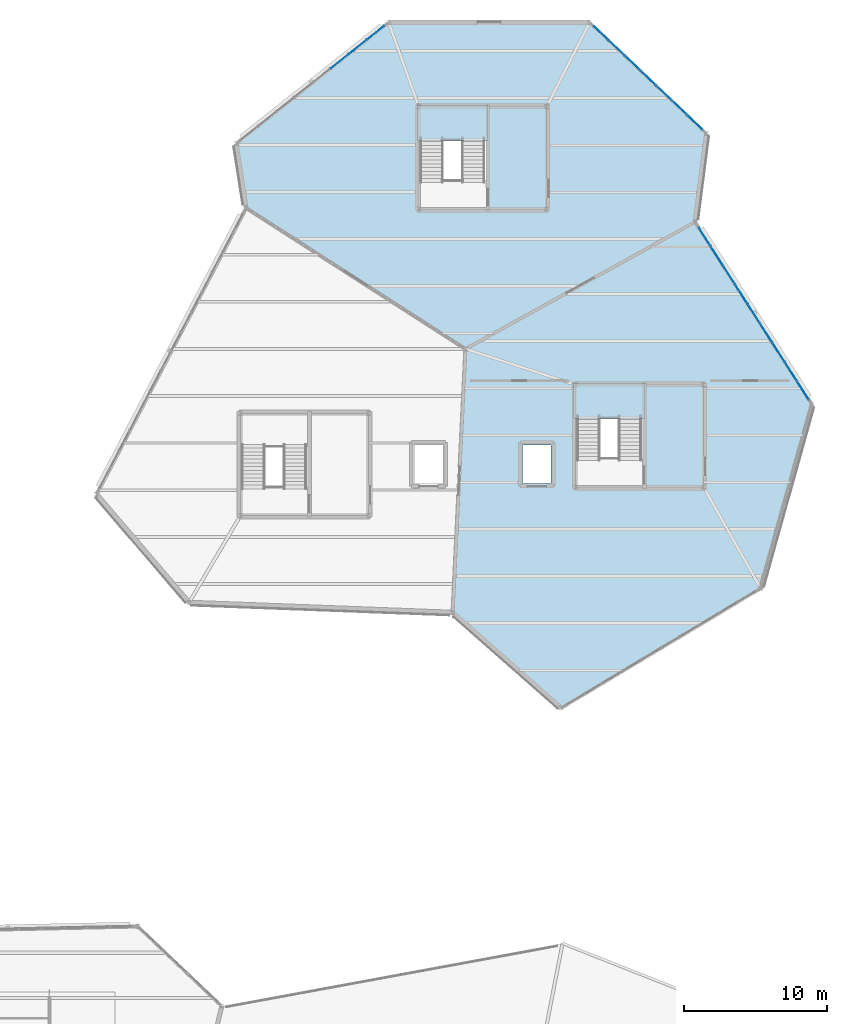
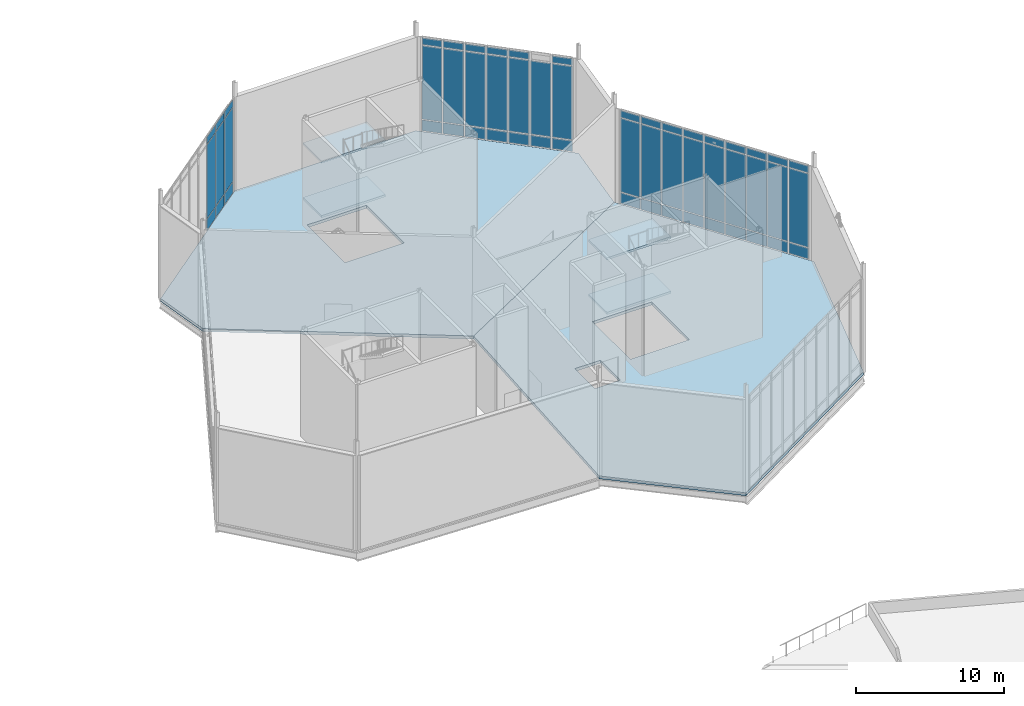
# One storey, part 48 of 66: 56 plates, 6 slabs, 5 elements without a shape of their own.
"""IFC4 building model written with IfcOpenShell, lengths in metres."""

from ifc_helpers import new_model, si_unit, direction, frame, origin, origin_2d, place, context, subcontext, project, spatial, polyline, rectangle, outline, extrude, material, layer, layer_set, type_object, element, aggregate, save


model = new_model("IFC4")

# Units and contexts
model_context = context("Model", 3, precision=1e-05, world=origin(), true_north=direction((0.0, 1.0)))
body_context = subcontext(model_context, "Body", "Model", "MODEL_VIEW")
ifc_project = project(units=[si_unit("LENGTHUNIT", "METRE"), si_unit("AREAUNIT", "SQUARE_METRE"), si_unit("VOLUMEUNIT", "CUBIC_METRE"), si_unit("PLANEANGLEUNIT", "RADIAN"), si_unit("MASSUNIT", "GRAM", prefix="KILO")], contexts=[model_context])

# Site, building, storey
site_placement = place(None, origin())
site = spatial("IfcSite", under=ifc_project, at=site_placement, CompositionType="ELEMENT")
building_placement = place(site_placement, origin())
building = spatial("IfcBuilding", under=site, at=building_placement, Name="Tameran Prism Museum", CompositionType="ELEMENT")
storey_placement = place(building_placement, frame((0.0, 0.0, 19.800048828125)))
storey = spatial("IfcBuildingStorey", under=building, at=storey_placement, Name="L04", CompositionType="ELEMENT", Elevation=19.800048828125)

# Curtain wall, plates
ifc_material_1 = material(Name="Anodised Aluminium 6063-T6 and Cyclone Solar Glass", Category="aluminium")
curtain_wall_type_1 = type_object("IfcCurtainWallType", Name="CW-FAC-1444x782", PredefinedType="USERDEFINED", material=ifc_material_1)
curtain_wall_1_placement = place(storey_placement, origin())
curtain_wall_1 = element("IfcCurtainWall", 1, at=curtain_wall_1_placement, inside=storey, type_object=curtain_wall_type_1, Name="Unitised Curtain Wall CW-153", ObjectType="UNITISED CURTAIN WALL", PredefinedType="USERDEFINED")
ifc_material_2 = material(Name="Cyclone Laminated Solar Glass", Category="glass")
ifc_layer_1 = layer(ifc_material_2, 0.031982421875)
ifc_layer_set_1 = layer_set([ifc_layer_1])
plate_type = type_object("IfcPlateType", Name="CW-PNL-G32", PredefinedType="CURTAIN_PANEL", material=ifc_layer_set_1)
plate_1_placement = place(storey_placement, frame((135.56396484375, 96.963623046875, 0.0751953125), z_axis=(0.0, 0.0, 1.0), x_axis=(0.539426990683, -0.842032375697, 0.0)))
plate_1 = element("IfcPlate", 2, at=plate_1_placement, type_object=plate_type, Name="CW-153 panel 1.1", PredefinedType="CURTAIN_PANEL", context=body_context, shape_type="SweptSolid", body=[
    extrude(rectangle(XDim=1.4921875, YDim=0.031982421875, at=origin_2d()), origin(), (0.0, 0.0, 1.0), 0.887451171875),
])
plate_2_placement = place(storey_placement, frame((135.56396484375, 96.963623046875, 1.03759765625), z_axis=(0.0, 0.0, 1.0), x_axis=(0.539426990683, -0.842032375697, 0.0)))
plate_2 = element("IfcPlate", 3, at=plate_2_placement, type_object=plate_type, Name="CW-153 panel 1.2", PredefinedType="CURTAIN_PANEL", context=body_context, shape_type="SweptSolid", body=[
    extrude(rectangle(XDim=1.4921875, YDim=0.031982421875, at=origin_2d()), origin(), (0.0, 0.0, 1.0), 6.06494140625),
])
plate_3_placement = place(storey_placement, frame((135.56396484375, 96.963623046875, 7.177490234375), z_axis=(0.0, 0.0, 1.0), x_axis=(0.539426990683, -0.842032375697, 0.0)))
plate_3 = element("IfcPlate", 4, at=plate_3_placement, type_object=plate_type, Name="CW-153 panel 1.3", PredefinedType="CURTAIN_PANEL", context=body_context, shape_type="SweptSolid", body=[
    extrude(rectangle(XDim=1.4921875, YDim=0.031982421875, at=origin_2d()), origin(), (0.0, 0.0, 1.0), 0.5673828125),
])
plate_4_placement = place(storey_placement, frame((136.41943359375, 95.62841796875, 0.0751953125), z_axis=(0.0, 0.0, 1.0), x_axis=(0.539426990683, -0.842032375697, 0.0)))
plate_4 = element("IfcPlate", 5, at=plate_4_placement, type_object=plate_type, Name="CW-153 panel 2.1", PredefinedType="CURTAIN_PANEL", context=body_context, shape_type="SweptSolid", body=[
    extrude(rectangle(XDim=1.529541015625, YDim=0.031982421875, at=origin_2d()), origin(), (0.0, 0.0, 1.0), 0.887451171875),
])
plate_5_placement = place(storey_placement, frame((136.41943359375, 95.62841796875, 1.03759765625), z_axis=(0.0, 0.0, 1.0), x_axis=(0.539426990683, -0.842032375697, 0.0)))
plate_5 = element("IfcPlate", 6, at=plate_5_placement, type_object=plate_type, Name="CW-153 panel 2.2", PredefinedType="CURTAIN_PANEL", context=body_context, shape_type="SweptSolid", body=[
    extrude(rectangle(XDim=1.529541015625, YDim=0.031982421875, at=origin_2d()), origin(), (0.0, 0.0, 1.0), 6.06494140625),
])
plate_6_placement = place(storey_placement, frame((136.41943359375, 95.62841796875, 7.177490234375), z_axis=(0.0, 0.0, 1.0), x_axis=(0.539426990683, -0.842032375697, 0.0)))
plate_6 = element("IfcPlate", 7, at=plate_6_placement, type_object=plate_type, Name="CW-153 panel 2.3", PredefinedType="CURTAIN_PANEL", context=body_context, shape_type="SweptSolid", body=[
    extrude(rectangle(XDim=1.529541015625, YDim=0.031982421875, at=origin_2d()), origin(), (0.0, 0.0, 1.0), 0.5673828125),
])
plate_7_placement = place(storey_placement, frame((137.284912109375, 94.27734375, 0.0751953125), z_axis=(0.0, 0.0, 1.0), x_axis=(0.539426990683, -0.842032375697, 0.0)))
plate_7 = element("IfcPlate", 8, at=plate_7_placement, type_object=plate_type, Name="CW-153 panel 3.1", PredefinedType="CURTAIN_PANEL", context=body_context, shape_type="SweptSolid", body=[
    extrude(rectangle(XDim=1.529541015625, YDim=0.031982421875, at=origin_2d()), origin(), (0.0, 0.0, 1.0), 0.887451171875),
])
plate_8_placement = place(storey_placement, frame((137.284912109375, 94.27734375, 1.03759765625), z_axis=(0.0, 0.0, 1.0), x_axis=(0.539426990683, -0.842032375697, 0.0)))
plate_8 = element("IfcPlate", 9, at=plate_8_placement, type_object=plate_type, Name="CW-153 panel 3.2", PredefinedType="CURTAIN_PANEL", context=body_context, shape_type="SweptSolid", body=[
    extrude(rectangle(XDim=1.529541015625, YDim=0.031982421875, at=origin_2d()), origin(), (0.0, 0.0, 1.0), 6.06494140625),
])
plate_9_placement = place(storey_placement, frame((137.284912109375, 94.27734375, 7.177490234375), z_axis=(0.0, 0.0, 1.0), x_axis=(0.539426990683, -0.842032375697, 0.0)))
plate_9 = element("IfcPlate", 10, at=plate_9_placement, type_object=plate_type, Name="CW-153 panel 3.3", PredefinedType="CURTAIN_PANEL", context=body_context, shape_type="SweptSolid", body=[
    extrude(rectangle(XDim=1.529541015625, YDim=0.031982421875, at=origin_2d()), origin(), (0.0, 0.0, 1.0), 0.5673828125),
])
plate_10_placement = place(storey_placement, frame((138.150390625, 92.926025390625, 0.0751953125), z_axis=(0.0, 0.0, 1.0), x_axis=(0.539426990683, -0.842032375697, 0.0)))
plate_10 = element("IfcPlate", 11, at=plate_10_placement, type_object=plate_type, Name="CW-153 panel 4.1", PredefinedType="CURTAIN_PANEL", context=body_context, shape_type="SweptSolid", body=[
    extrude(rectangle(XDim=1.529541015625, YDim=0.031982421875, at=origin_2d()), origin(), (0.0, 0.0, 1.0), 0.887451171875),
])
plate_11_placement = place(storey_placement, frame((138.150390625, 92.926025390625, 1.03759765625), z_axis=(0.0, 0.0, 1.0), x_axis=(0.539426990683, -0.842032375697, 0.0)))
plate_11 = element("IfcPlate", 12, at=plate_11_placement, type_object=plate_type, Name="CW-153 panel 4.2", PredefinedType="CURTAIN_PANEL", context=body_context, shape_type="SweptSolid", body=[
    extrude(rectangle(XDim=1.529541015625, YDim=0.031982421875, at=origin_2d()), origin(), (0.0, 0.0, 1.0), 6.06494140625),
])
plate_12_placement = place(storey_placement, frame((138.150390625, 92.926025390625, 7.177490234375), z_axis=(0.0, 0.0, 1.0), x_axis=(0.539426990683, -0.842032375697, 0.0)))
plate_12 = element("IfcPlate", 13, at=plate_12_placement, type_object=plate_type, Name="CW-153 panel 4.3", PredefinedType="CURTAIN_PANEL", context=body_context, shape_type="SweptSolid", body=[
    extrude(rectangle(XDim=1.529541015625, YDim=0.031982421875, at=origin_2d()), origin(), (0.0, 0.0, 1.0), 0.5673828125),
])
plate_13_placement = place(storey_placement, frame((139.01611328125, 91.574951171875, 0.0751953125), z_axis=(0.0, 0.0, 1.0), x_axis=(0.539426990683, -0.842032375697, 0.0)))
plate_13 = element("IfcPlate", 14, at=plate_13_placement, type_object=plate_type, Name="CW-153 panel 5.1", PredefinedType="CURTAIN_PANEL", context=body_context, shape_type="SweptSolid", body=[
    extrude(rectangle(XDim=1.529541015625, YDim=0.031982421875, at=origin_2d()), origin(), (0.0, 0.0, 1.0), 0.887451171875),
])
plate_14_placement = place(storey_placement, frame((139.01611328125, 91.574951171875, 1.03759765625), z_axis=(0.0, 0.0, 1.0), x_axis=(0.539426990683, -0.842032375697, 0.0)))
plate_14 = element("IfcPlate", 15, at=plate_14_placement, type_object=plate_type, Name="CW-153 panel 5.2", PredefinedType="CURTAIN_PANEL", context=body_context, shape_type="SweptSolid", body=[
    extrude(rectangle(XDim=1.529541015625, YDim=0.031982421875, at=origin_2d()), origin(), (0.0, 0.0, 1.0), 6.06494140625),
])
plate_15_placement = place(storey_placement, frame((139.01611328125, 91.574951171875, 7.177490234375), z_axis=(0.0, 0.0, 1.0), x_axis=(0.539426990683, -0.842032375697, 0.0)))
plate_15 = element("IfcPlate", 16, at=plate_15_placement, type_object=plate_type, Name="CW-153 panel 5.3", PredefinedType="CURTAIN_PANEL", context=body_context, shape_type="SweptSolid", body=[
    extrude(rectangle(XDim=1.529541015625, YDim=0.031982421875, at=origin_2d()), origin(), (0.0, 0.0, 1.0), 0.5673828125),
])
plate_16_placement = place(storey_placement, frame((139.881591796875, 90.223876953125, 0.0751953125), z_axis=(0.0, 0.0, 1.0), x_axis=(0.539426990683, -0.842032375697, 0.0)))
plate_16 = element("IfcPlate", 17, at=plate_16_placement, type_object=plate_type, Name="CW-153 panel 6.1", PredefinedType="CURTAIN_PANEL", context=body_context, shape_type="SweptSolid", body=[
    extrude(rectangle(XDim=1.529541015625, YDim=0.031982421875, at=origin_2d()), origin(), (0.0, 0.0, 1.0), 0.887451171875),
])
plate_17_placement = place(storey_placement, frame((139.881591796875, 90.223876953125, 1.03759765625), z_axis=(0.0, 0.0, 1.0), x_axis=(0.539426990683, -0.842032375697, 0.0)))
plate_17 = element("IfcPlate", 18, at=plate_17_placement, type_object=plate_type, Name="CW-153 panel 6.2", PredefinedType="CURTAIN_PANEL", context=body_context, shape_type="SweptSolid", body=[
    extrude(rectangle(XDim=1.529541015625, YDim=0.031982421875, at=origin_2d()), origin(), (0.0, 0.0, 1.0), 6.06494140625),
])
plate_18_placement = place(storey_placement, frame((139.881591796875, 90.223876953125, 7.177490234375), z_axis=(0.0, 0.0, 1.0), x_axis=(0.539426990683, -0.842032375697, 0.0)))
plate_18 = element("IfcPlate", 19, at=plate_18_placement, type_object=plate_type, Name="CW-153 panel 6.3", PredefinedType="CURTAIN_PANEL", context=body_context, shape_type="SweptSolid", body=[
    extrude(rectangle(XDim=1.529541015625, YDim=0.031982421875, at=origin_2d()), origin(), (0.0, 0.0, 1.0), 0.5673828125),
])
plate_19_placement = place(storey_placement, frame((140.7470703125, 88.872802734375, 0.0751953125), z_axis=(0.0, 0.0, 1.0), x_axis=(0.539426990683, -0.842032375697, 0.0)))
plate_19 = element("IfcPlate", 20, at=plate_19_placement, type_object=plate_type, Name="CW-153 panel 7.1", PredefinedType="CURTAIN_PANEL", context=body_context, shape_type="SweptSolid", body=[
    extrude(rectangle(XDim=1.529541015625, YDim=0.031982421875, at=origin_2d()), origin(), (0.0, 0.0, 1.0), 0.887451171875),
])
plate_20_placement = place(storey_placement, frame((140.7470703125, 88.872802734375, 1.03759765625), z_axis=(0.0, 0.0, 1.0), x_axis=(0.539426990683, -0.842032375697, 0.0)))
plate_20 = element("IfcPlate", 21, at=plate_20_placement, type_object=plate_type, Name="CW-153 panel 7.2", PredefinedType="CURTAIN_PANEL", context=body_context, shape_type="SweptSolid", body=[
    extrude(rectangle(XDim=1.529541015625, YDim=0.031982421875, at=origin_2d()), origin(), (0.0, 0.0, 1.0), 6.06494140625),
])
plate_21_placement = place(storey_placement, frame((140.7470703125, 88.872802734375, 7.177490234375), z_axis=(0.0, 0.0, 1.0), x_axis=(0.539426990683, -0.842032375697, 0.0)))
plate_21 = element("IfcPlate", 22, at=plate_21_placement, type_object=plate_type, Name="CW-153 panel 7.3", PredefinedType="CURTAIN_PANEL", context=body_context, shape_type="SweptSolid", body=[
    extrude(rectangle(XDim=1.529541015625, YDim=0.031982421875, at=origin_2d()), origin(), (0.0, 0.0, 1.0), 0.5673828125),
])
plate_22_placement = place(storey_placement, frame((141.612548828125, 87.521728515625, 0.0751953125), z_axis=(0.0, 0.0, 1.0), x_axis=(0.539426990683, -0.842032375697, 0.0)))
plate_22 = element("IfcPlate", 23, at=plate_22_placement, type_object=plate_type, Name="CW-153 panel 8.1", PredefinedType="CURTAIN_PANEL", context=body_context, shape_type="SweptSolid", body=[
    extrude(rectangle(XDim=1.529541015625, YDim=0.031982421875, at=origin_2d()), origin(), (0.0, 0.0, 1.0), 0.887451171875),
])
plate_23_placement = place(storey_placement, frame((141.612548828125, 87.521728515625, 1.03759765625), z_axis=(0.0, 0.0, 1.0), x_axis=(0.539426990683, -0.842032375697, 0.0)))
plate_23 = element("IfcPlate", 24, at=plate_23_placement, type_object=plate_type, Name="CW-153 panel 8.2", PredefinedType="CURTAIN_PANEL", context=body_context, shape_type="SweptSolid", body=[
    extrude(rectangle(XDim=1.529541015625, YDim=0.031982421875, at=origin_2d()), origin(), (0.0, 0.0, 1.0), 6.06494140625),
])
plate_24_placement = place(storey_placement, frame((141.612548828125, 87.521728515625, 7.177490234375), z_axis=(0.0, 0.0, 1.0), x_axis=(0.539426990683, -0.842032375697, 0.0)))
plate_24 = element("IfcPlate", 25, at=plate_24_placement, type_object=plate_type, Name="CW-153 panel 8.3", PredefinedType="CURTAIN_PANEL", context=body_context, shape_type="SweptSolid", body=[
    extrude(rectangle(XDim=1.529541015625, YDim=0.031982421875, at=origin_2d()), origin(), (0.0, 0.0, 1.0), 0.5673828125),
])
plate_25_placement = place(storey_placement, frame((142.468017578125, 86.186279296875, 0.0751953125), z_axis=(0.0, 0.0, 1.0), x_axis=(0.539426990683, -0.842032375697, 0.0)))
plate_25 = element("IfcPlate", 26, at=plate_25_placement, type_object=plate_type, Name="CW-153 panel 9.1", PredefinedType="CURTAIN_PANEL", context=body_context, shape_type="SweptSolid", body=[
    extrude(rectangle(XDim=1.4921875, YDim=0.031982421875, at=origin_2d()), origin(), (0.0, 0.0, 1.0), 0.887451171875),
])
plate_26_placement = place(storey_placement, frame((142.468017578125, 86.186279296875, 1.03759765625), z_axis=(0.0, 0.0, 1.0), x_axis=(0.539426990683, -0.842032375697, 0.0)))
plate_26 = element("IfcPlate", 27, at=plate_26_placement, type_object=plate_type, Name="CW-153 panel 9.2", PredefinedType="CURTAIN_PANEL", context=body_context, shape_type="SweptSolid", body=[
    extrude(rectangle(XDim=1.4921875, YDim=0.031982421875, at=origin_2d()), origin(), (0.0, 0.0, 1.0), 6.06494140625),
])
plate_27_placement = place(storey_placement, frame((142.468017578125, 86.186279296875, 7.177490234375), z_axis=(0.0, 0.0, 1.0), x_axis=(0.539426990683, -0.842032375697, 0.0)))
plate_27 = element("IfcPlate", 28, at=plate_27_placement, type_object=plate_type, Name="CW-153 panel 9.3", PredefinedType="CURTAIN_PANEL", context=body_context, shape_type="SweptSolid", body=[
    extrude(rectangle(XDim=1.4921875, YDim=0.031982421875, at=origin_2d()), origin(), (0.0, 0.0, 1.0), 0.5673828125),
])
aggregate(curtain_wall_1, [plate_1, plate_2, plate_3, plate_4, plate_5, plate_6, plate_7, plate_8, plate_9, plate_10, plate_11, plate_12, plate_13, plate_14, plate_15, plate_16, plate_17, plate_18, plate_19, plate_20, plate_21, plate_22, plate_23, plate_24, plate_25, plate_26, plate_27])

ifc_material_3 = material(Name="Anodised Aluminium 6063-T6 and Cyclone Solar Glass", Category="aluminium")
curtain_wall_type_2 = type_object("IfcCurtainWallType", Name="CW-FAC-1062x782", PredefinedType="USERDEFINED", material=ifc_material_3)
curtain_wall_2_placement = place(storey_placement, origin())
curtain_wall_2 = element("IfcCurtainWall", 29, at=curtain_wall_2_placement, inside=storey, type_object=curtain_wall_type_2, Name="Unitised Curtain Wall CW-154", ObjectType="UNITISED CURTAIN WALL", PredefinedType="USERDEFINED")
plate_28_placement = place(storey_placement, frame((128.31787109375, 111.222412109375, 0.080078125), z_axis=(0.0, 0.0, 1.0), x_axis=(0.724500698692, -0.689274065662, 0.0)))
plate_28 = element("IfcPlate", 30, at=plate_28_placement, type_object=plate_type, Name="CW-154 panel 1.1", PredefinedType="CURTAIN_PANEL", context=body_context, shape_type="SweptSolid", body=[
    extrude(rectangle(XDim=1.396728515625, YDim=0.031982421875, at=origin_2d()), origin(), (0.0, 0.0, 1.0), 0.8798828125),
])
plate_29_placement = place(storey_placement, frame((128.31787109375, 111.222412109375, 1.0400390625), z_axis=(0.0, 0.0, 1.0), x_axis=(0.724500698692, -0.689274065662, 0.0)))
plate_29 = element("IfcPlate", 31, at=plate_29_placement, type_object=plate_type, Name="CW-154 panel 1.2", PredefinedType="CURTAIN_PANEL", context=body_context, shape_type="SweptSolid", body=[
    extrude(rectangle(XDim=1.396728515625, YDim=0.031982421875, at=origin_2d()), origin(), (0.0, 0.0, 1.0), 6.06005859375),
])
plate_30_placement = place(storey_placement, frame((128.31787109375, 111.222412109375, 7.179931640625), z_axis=(0.0, 0.0, 1.0), x_axis=(0.724500698692, -0.689274065662, 0.0)))
plate_30 = element("IfcPlate", 32, at=plate_30_placement, type_object=plate_type, Name="CW-154 panel 1.3", PredefinedType="CURTAIN_PANEL", context=body_context, shape_type="SweptSolid", body=[
    extrude(rectangle(XDim=1.396728515625, YDim=0.031982421875, at=origin_2d()), origin(), (0.0, 0.0, 1.0), 0.56005859375),
])
plate_31_placement = place(storey_placement, frame((129.40234375, 110.19091796875, 0.080078125), z_axis=(0.0, 0.0, 1.0), x_axis=(0.724500698692, -0.689274065662, 0.0)))
plate_31 = element("IfcPlate", 33, at=plate_31_placement, type_object=plate_type, Name="CW-154 panel 2.1", PredefinedType="CURTAIN_PANEL", context=body_context, shape_type="SweptSolid", body=[
    extrude(rectangle(XDim=1.436767578125, YDim=0.031982421875, at=origin_2d()), origin(), (0.0, 0.0, 1.0), 0.8798828125),
])
plate_32_placement = place(storey_placement, frame((129.40234375, 110.19091796875, 1.0400390625), z_axis=(0.0, 0.0, 1.0), x_axis=(0.724500698692, -0.689274065662, 0.0)))
plate_32 = element("IfcPlate", 34, at=plate_32_placement, type_object=plate_type, Name="CW-154 panel 2.2", PredefinedType="CURTAIN_PANEL", context=body_context, shape_type="SweptSolid", body=[
    extrude(rectangle(XDim=1.436767578125, YDim=0.031982421875, at=origin_2d()), origin(), (0.0, 0.0, 1.0), 6.06005859375),
])
plate_33_placement = place(storey_placement, frame((129.40234375, 110.19091796875, 7.179931640625), z_axis=(0.0, 0.0, 1.0), x_axis=(0.724500698692, -0.689274065662, 0.0)))
plate_33 = element("IfcPlate", 35, at=plate_33_placement, type_object=plate_type, Name="CW-154 panel 2.3", PredefinedType="CURTAIN_PANEL", context=body_context, shape_type="SweptSolid", body=[
    extrude(rectangle(XDim=1.436767578125, YDim=0.031982421875, at=origin_2d()), origin(), (0.0, 0.0, 1.0), 0.56005859375),
])
plate_34_placement = place(storey_placement, frame((130.501220703125, 109.1455078125, 0.080078125), z_axis=(0.0, 0.0, 1.0), x_axis=(0.724500698692, -0.689274065662, 0.0)))
plate_34 = element("IfcPlate", 36, at=plate_34_placement, type_object=plate_type, Name="CW-154 panel 3.1", PredefinedType="CURTAIN_PANEL", context=body_context, shape_type="SweptSolid", body=[
    extrude(rectangle(XDim=1.436767578125, YDim=0.031982421875, at=origin_2d()), origin(), (0.0, 0.0, 1.0), 0.8798828125),
])
plate_35_placement = place(storey_placement, frame((130.501220703125, 109.1455078125, 1.0400390625), z_axis=(0.0, 0.0, 1.0), x_axis=(0.724500698692, -0.689274065662, 0.0)))
plate_35 = element("IfcPlate", 37, at=plate_35_placement, type_object=plate_type, Name="CW-154 panel 3.2", PredefinedType="CURTAIN_PANEL", context=body_context, shape_type="SweptSolid", body=[
    extrude(rectangle(XDim=1.436767578125, YDim=0.031982421875, at=origin_2d()), origin(), (0.0, 0.0, 1.0), 6.06005859375),
])
plate_36_placement = place(storey_placement, frame((130.501220703125, 109.1455078125, 7.179931640625), z_axis=(0.0, 0.0, 1.0), x_axis=(0.724500698692, -0.689274065662, 0.0)))
plate_36 = element("IfcPlate", 38, at=plate_36_placement, type_object=plate_type, Name="CW-154 panel 3.3", PredefinedType="CURTAIN_PANEL", context=body_context, shape_type="SweptSolid", body=[
    extrude(rectangle(XDim=1.436767578125, YDim=0.031982421875, at=origin_2d()), origin(), (0.0, 0.0, 1.0), 0.56005859375),
])
plate_37_placement = place(storey_placement, frame((131.60009765625, 108.10009765625, 0.080078125), z_axis=(0.0, 0.0, 1.0), x_axis=(0.724500698692, -0.689274065662, 0.0)))
plate_37 = element("IfcPlate", 39, at=plate_37_placement, type_object=plate_type, Name="CW-154 panel 4.1", PredefinedType="CURTAIN_PANEL", context=body_context, shape_type="SweptSolid", body=[
    extrude(rectangle(XDim=1.436767578125, YDim=0.031982421875, at=origin_2d()), origin(), (0.0, 0.0, 1.0), 0.8798828125),
])
plate_38_placement = place(storey_placement, frame((131.60009765625, 108.10009765625, 1.0400390625), z_axis=(0.0, 0.0, 1.0), x_axis=(0.724500698692, -0.689274065662, 0.0)))
plate_38 = element("IfcPlate", 40, at=plate_38_placement, type_object=plate_type, Name="CW-154 panel 4.2", PredefinedType="CURTAIN_PANEL", context=body_context, shape_type="SweptSolid", body=[
    extrude(rectangle(XDim=1.436767578125, YDim=0.031982421875, at=origin_2d()), origin(), (0.0, 0.0, 1.0), 6.06005859375),
])
plate_39_placement = place(storey_placement, frame((131.60009765625, 108.10009765625, 7.179931640625), z_axis=(0.0, 0.0, 1.0), x_axis=(0.724500698692, -0.689274065662, 0.0)))
plate_39 = element("IfcPlate", 41, at=plate_39_placement, type_object=plate_type, Name="CW-154 panel 4.3", PredefinedType="CURTAIN_PANEL", context=body_context, shape_type="SweptSolid", body=[
    extrude(rectangle(XDim=1.436767578125, YDim=0.031982421875, at=origin_2d()), origin(), (0.0, 0.0, 1.0), 0.56005859375),
])
plate_40_placement = place(storey_placement, frame((132.698974609375, 107.0546875, 0.080078125), z_axis=(0.0, 0.0, 1.0), x_axis=(0.724500698692, -0.689274065662, 0.0)))
plate_40 = element("IfcPlate", 42, at=plate_40_placement, type_object=plate_type, Name="CW-154 panel 5.1", PredefinedType="CURTAIN_PANEL", context=body_context, shape_type="SweptSolid", body=[
    extrude(rectangle(XDim=1.436767578125, YDim=0.031982421875, at=origin_2d()), origin(), (0.0, 0.0, 1.0), 0.8798828125),
])
plate_41_placement = place(storey_placement, frame((132.698974609375, 107.0546875, 1.0400390625), z_axis=(0.0, 0.0, 1.0), x_axis=(0.724500698692, -0.689274065662, 0.0)))
plate_41 = element("IfcPlate", 43, at=plate_41_placement, type_object=plate_type, Name="CW-154 panel 5.2", PredefinedType="CURTAIN_PANEL", context=body_context, shape_type="SweptSolid", body=[
    extrude(rectangle(XDim=1.436767578125, YDim=0.031982421875, at=origin_2d()), origin(), (0.0, 0.0, 1.0), 6.06005859375),
])
plate_42_placement = place(storey_placement, frame((132.698974609375, 107.0546875, 7.179931640625), z_axis=(0.0, 0.0, 1.0), x_axis=(0.724500698692, -0.689274065662, 0.0)))
plate_42 = element("IfcPlate", 44, at=plate_42_placement, type_object=plate_type, Name="CW-154 panel 5.3", PredefinedType="CURTAIN_PANEL", context=body_context, shape_type="SweptSolid", body=[
    extrude(rectangle(XDim=1.436767578125, YDim=0.031982421875, at=origin_2d()), origin(), (0.0, 0.0, 1.0), 0.56005859375),
])
plate_43_placement = place(storey_placement, frame((133.797607421875, 106.009033203125, 0.080078125), z_axis=(0.0, 0.0, 1.0), x_axis=(0.724500698692, -0.689274065662, 0.0)))
plate_43 = element("IfcPlate", 45, at=plate_43_placement, type_object=plate_type, Name="CW-154 panel 6.1", PredefinedType="CURTAIN_PANEL", context=body_context, shape_type="SweptSolid", body=[
    extrude(rectangle(XDim=1.436767578125, YDim=0.031982421875, at=origin_2d()), origin(), (0.0, 0.0, 1.0), 0.8798828125),
])
plate_44_placement = place(storey_placement, frame((133.797607421875, 106.009033203125, 1.0400390625), z_axis=(0.0, 0.0, 1.0), x_axis=(0.724500698692, -0.689274065662, 0.0)))
plate_44 = element("IfcPlate", 46, at=plate_44_placement, type_object=plate_type, Name="CW-154 panel 6.2", PredefinedType="CURTAIN_PANEL", context=body_context, shape_type="SweptSolid", body=[
    extrude(rectangle(XDim=1.436767578125, YDim=0.031982421875, at=origin_2d()), origin(), (0.0, 0.0, 1.0), 6.06005859375),
])
plate_45_placement = place(storey_placement, frame((134.882080078125, 104.9775390625, 0.080078125), z_axis=(0.0, 0.0, 1.0), x_axis=(0.724500698692, -0.689274065662, 0.0)))
plate_45 = element("IfcPlate", 47, at=plate_45_placement, type_object=plate_type, Name="CW-154 panel 7.1", PredefinedType="CURTAIN_PANEL", context=body_context, shape_type="SweptSolid", body=[
    extrude(rectangle(XDim=1.396728515625, YDim=0.031982421875, at=origin_2d()), origin(), (0.0, 0.0, 1.0), 0.8798828125),
])
plate_46_placement = place(storey_placement, frame((134.882080078125, 104.9775390625, 1.0400390625), z_axis=(0.0, 0.0, 1.0), x_axis=(0.724500698692, -0.689274065662, 0.0)))
plate_46 = element("IfcPlate", 48, at=plate_46_placement, type_object=plate_type, Name="CW-154 panel 7.2", PredefinedType="CURTAIN_PANEL", context=body_context, shape_type="SweptSolid", body=[
    extrude(rectangle(XDim=1.396728515625, YDim=0.031982421875, at=origin_2d()), origin(), (0.0, 0.0, 1.0), 6.06005859375),
])
plate_47_placement = place(storey_placement, frame((134.882080078125, 104.9775390625, 7.179931640625), z_axis=(0.0, 0.0, 1.0), x_axis=(0.724500698692, -0.689274065662, 0.0)))
plate_47 = element("IfcPlate", 49, at=plate_47_placement, type_object=plate_type, Name="CW-154 panel 7.3", PredefinedType="CURTAIN_PANEL", context=body_context, shape_type="SweptSolid", body=[
    extrude(rectangle(XDim=1.396728515625, YDim=0.031982421875, at=origin_2d()), origin(), (0.0, 0.0, 1.0), 0.56005859375),
])
aggregate(curtain_wall_2, [plate_28, plate_29, plate_30, plate_31, plate_32, plate_33, plate_34, plate_35, plate_36, plate_37, plate_38, plate_39, plate_40, plate_41, plate_42, plate_43, plate_44, plate_45, plate_46, plate_47])

ifc_material_4 = material(Name="Anodised Aluminium 6063-T6 and Cyclone Solar Glass", Category="aluminium")
curtain_wall_type_3 = type_object("IfcCurtainWallType", Name="CW-FAC-1296x782", PredefinedType="USERDEFINED", material=ifc_material_4)
curtain_wall_3_placement = place(storey_placement, origin())
curtain_wall_3 = element("IfcCurtainWall", 50, at=curtain_wall_3_placement, inside=storey, type_object=curtain_wall_type_3, Name="Unitised Curtain Wall CW-155", ObjectType="UNITISED CURTAIN WALL", PredefinedType="USERDEFINED")
plate_48_placement = place(storey_placement, frame((109.95361328125, 109.261962890625, 0.06494140625), z_axis=(0.0, 0.0, 1.0), x_axis=(0.783031296178, 0.621982306183, 0.0)))
plate_48 = element("IfcPlate", 51, at=plate_48_placement, type_object=plate_type, Name="CW-155 panel 6.1", PredefinedType="CURTAIN_PANEL", context=body_context, shape_type="SweptSolid", body=[
    extrude(rectangle(XDim=1.5556640625, YDim=0.031982421875, at=origin_2d()), origin(), (0.0, 0.0, 1.0), 0.902587890625),
])
plate_49_placement = place(storey_placement, frame((109.95361328125, 109.261962890625, 1.03271484375), z_axis=(0.0, 0.0, 1.0), x_axis=(0.783031296178, 0.621982306183, 0.0)))
plate_49 = element("IfcPlate", 52, at=plate_49_placement, type_object=plate_type, Name="CW-155 panel 6.2", PredefinedType="CURTAIN_PANEL", context=body_context, shape_type="SweptSolid", body=[
    extrude(rectangle(XDim=1.5556640625, YDim=0.031982421875, at=origin_2d()), origin(), (0.0, 0.0, 1.0), 6.074951171875),
])
plate_50_placement = place(storey_placement, frame((109.95361328125, 109.261962890625, 7.17236328125), z_axis=(0.0, 0.0, 1.0), x_axis=(0.783031296178, 0.621982306183, 0.0)))
plate_50 = element("IfcPlate", 53, at=plate_50_placement, type_object=plate_type, Name="CW-155 panel 6.3", PredefinedType="CURTAIN_PANEL", context=body_context, shape_type="SweptSolid", body=[
    extrude(rectangle(XDim=1.5556640625, YDim=0.031982421875, at=origin_2d()), origin(), (0.0, 0.0, 1.0), 0.58251953125),
])
plate_51_placement = place(storey_placement, frame((111.222412109375, 110.27001953125, 0.06494140625), z_axis=(0.0, 0.0, 1.0), x_axis=(0.783031296178, 0.621982306183, 0.0)))
plate_51 = element("IfcPlate", 54, at=plate_51_placement, type_object=plate_type, Name="CW-155 panel 7.1", PredefinedType="CURTAIN_PANEL", context=body_context, shape_type="SweptSolid", body=[
    extrude(rectangle(XDim=1.5556640625, YDim=0.031982421875, at=origin_2d()), origin(), (0.0, 0.0, 1.0), 0.902587890625),
])
plate_52_placement = place(storey_placement, frame((111.222412109375, 110.27001953125, 1.03271484375), z_axis=(0.0, 0.0, 1.0), x_axis=(0.783031296178, 0.621982306183, 0.0)))
plate_52 = element("IfcPlate", 55, at=plate_52_placement, type_object=plate_type, Name="CW-155 panel 7.2", PredefinedType="CURTAIN_PANEL", context=body_context, shape_type="SweptSolid", body=[
    extrude(rectangle(XDim=1.5556640625, YDim=0.031982421875, at=origin_2d()), origin(), (0.0, 0.0, 1.0), 6.074951171875),
])
plate_53_placement = place(storey_placement, frame((111.222412109375, 110.27001953125, 7.17236328125), z_axis=(0.0, 0.0, 1.0), x_axis=(0.783031296178, 0.621982306183, 0.0)))
plate_53 = element("IfcPlate", 56, at=plate_53_placement, type_object=plate_type, Name="CW-155 panel 7.3", PredefinedType="CURTAIN_PANEL", context=body_context, shape_type="SweptSolid", body=[
    extrude(rectangle(XDim=1.5556640625, YDim=0.031982421875, at=origin_2d()), origin(), (0.0, 0.0, 1.0), 0.58251953125),
])
plate_54_placement = place(storey_placement, frame((112.478759765625, 111.267822265625, 0.06494140625), z_axis=(0.0, 0.0, 1.0), x_axis=(0.783031296178, 0.621982306183, 0.0)))
plate_54 = element("IfcPlate", 57, at=plate_54_placement, type_object=plate_type, Name="CW-155 panel 8.1", PredefinedType="CURTAIN_PANEL", context=body_context, shape_type="SweptSolid", body=[
    extrude(rectangle(XDim=1.523193359375, YDim=0.031982421875, at=origin_2d()), origin(), (0.0, 0.0, 1.0), 0.902587890625),
])
plate_55_placement = place(storey_placement, frame((112.478759765625, 111.267822265625, 1.03271484375), z_axis=(0.0, 0.0, 1.0), x_axis=(0.783031296178, 0.621982306183, 0.0)))
plate_55 = element("IfcPlate", 58, at=plate_55_placement, type_object=plate_type, Name="CW-155 panel 8.2", PredefinedType="CURTAIN_PANEL", context=body_context, shape_type="SweptSolid", body=[
    extrude(rectangle(XDim=1.523193359375, YDim=0.031982421875, at=origin_2d()), origin(), (0.0, 0.0, 1.0), 6.074951171875),
])
plate_56_placement = place(storey_placement, frame((112.478759765625, 111.267822265625, 7.17236328125), z_axis=(0.0, 0.0, 1.0), x_axis=(0.783031296178, 0.621982306183, 0.0)))
plate_56 = element("IfcPlate", 59, at=plate_56_placement, type_object=plate_type, Name="CW-155 panel 8.3", PredefinedType="CURTAIN_PANEL", context=body_context, shape_type="SweptSolid", body=[
    extrude(rectangle(XDim=1.523193359375, YDim=0.031982421875, at=origin_2d()), origin(), (0.0, 0.0, 1.0), 0.58251953125),
])
aggregate(curtain_wall_3, [plate_48, plate_49, plate_50, plate_51, plate_52, plate_53, plate_54, plate_55, plate_56])

# Slabs
ifc_material_5 = material(Name="Concrete N40 (40 MPa)", Category="concrete")
ifc_layer_2 = layer(ifc_material_5, 0.239990234375)
ifc_layer_set_2 = layer_set([ifc_layer_2])
slab_type_1 = type_object("IfcSlabType", Name="SL-FLR-240", PredefinedType="FLOOR", material=ifc_layer_set_2)
slab_1_placement = place(storey_placement, frame((0.0, 0.0, -0.239990234375)))
element("IfcSlab", 60, at=slab_1_placement, inside=storey, type_object=slab_type_1, Name="Floor Slab FS-P02-L04", PredefinedType="FLOOR", context=body_context, shape_type="SweptSolid", body=[
    extrude(outline(polyline([(118.800048828125, 89.10009765625), (134.89990234375, 98.0), (143.10009765625, 85.199951171875), (139.5, 72.300048828125), (125.5, 63.89990234375), (117.89990234375, 70.60009765625), (118.800048828125, 89.10009765625)]), holes=[polyline([(124.800048828125, 79.64990234375), (124.800048828125, 82.35009765625), (122.800048828125, 82.35009765625), (122.800048828125, 79.64990234375), (124.800048828125, 79.64990234375)]), polyline([(131.219970703125, 81.43994140625), (131.219970703125, 86.550048828125), (126.60009765625, 86.550048828125), (126.60009765625, 81.43994140625), (131.219970703125, 81.43994140625)])]), origin(), (0.0, 0.0, 1.0), 0.239990234375),
])
slab_2_placement = place(storey_placement, frame((0.0, 0.0, -0.239990234375)))
element("IfcSlab", 61, at=slab_2_placement, inside=storey, type_object=slab_type_1, Name="Floor Slab FS-P03-L04", PredefinedType="FLOOR", context=body_context, shape_type="SweptSolid", body=[
    extrude(outline(polyline([(102.699951171875, 103.5), (113.39990234375, 112.0), (127.5, 112.0), (135.699951171875, 104.199951171875), (134.89990234375, 98.0), (118.800048828125, 89.10009765625), (103.39990234375, 99.0), (102.699951171875, 103.5)]), holes=[polyline([(120.219970703125, 106.050048828125), (115.60009765625, 106.050048828125), (115.60009765625, 100.93994140625), (120.219970703125, 100.93994140625), (120.219970703125, 106.050048828125)])]), origin(), (0.0, 0.0, 1.0), 0.239990234375),
])

# Stair, slabs
ifc_material_6 = material(Name="Concrete N40 (40 MPa)", Category="concrete")
stair_type = type_object("IfcStairType", Name="ST-CORE-90", PredefinedType="HALF_TURN_STAIR", material=ifc_material_6)
stair_1_placement = place(storey_placement, origin())
stair_1 = element("IfcStair", 62, at=stair_1_placement, inside=storey, type_object=stair_type, Name="Fire-Isolated Stair ST-02-L04", PredefinedType="HALF_TURN_STAIR")
ifc_material_7 = material(Name="Concrete N40 (40 MPa)", Category="concrete")
ifc_layer_3 = layer(ifc_material_7, 0.18505859375)
ifc_layer_set_3 = layer_set([ifc_layer_3])
slab_type_2 = type_object("IfcSlabType", Name="SL-LND-185", PredefinedType="LANDING", material=ifc_layer_set_3)
slab_3_placement = place(storey_placement, frame((0.0, 0.0, 2.06494140625)))
slab_3 = element("IfcSlab", 63, at=slab_3_placement, type_object=slab_type_2, Name="ST-02-L04 landing 1", PredefinedType="LANDING", context=body_context, shape_type="SweptSolid", body=[
    extrude(outline(polyline([(126.3798828125, 84.219970703125), (131.3701171875, 84.219970703125), (131.3701171875, 86.719970703125), (126.3798828125, 86.719970703125), (126.3798828125, 84.219970703125)])), origin(), (0.0, 0.0, 1.0), 0.18505859375),
])
slab_4_placement = place(storey_placement, frame((0.0, 0.0, 6.56494140625)))
slab_4 = element("IfcSlab", 64, at=slab_4_placement, type_object=slab_type_2, Name="ST-02-L04 landing 3", PredefinedType="LANDING", context=body_context, shape_type="SweptSolid", body=[
    extrude(outline(polyline([(126.3798828125, 84.219970703125), (131.3701171875, 84.219970703125), (131.3701171875, 86.719970703125), (126.3798828125, 86.719970703125), (126.3798828125, 84.219970703125)])), origin(), (0.0, 0.0, 1.0), 0.18505859375),
])
aggregate(stair_1, [slab_3, slab_4])

stair_2_placement = place(storey_placement, origin())
stair_2 = element("IfcStair", 65, at=stair_2_placement, inside=storey, type_object=stair_type, Name="Fire-Isolated Stair ST-07-L04", PredefinedType="HALF_TURN_STAIR")
slab_5_placement = place(storey_placement, frame((0.0, 0.0, 2.06494140625)))
slab_5 = element("IfcSlab", 66, at=slab_5_placement, type_object=slab_type_2, Name="ST-07-L04 landing 1", PredefinedType="LANDING", context=body_context, shape_type="SweptSolid", body=[
    extrude(outline(polyline([(115.3798828125, 103.719970703125), (120.3701171875, 103.719970703125), (120.3701171875, 106.219970703125), (115.3798828125, 106.219970703125), (115.3798828125, 103.719970703125)])), origin(), (0.0, 0.0, 1.0), 0.18505859375),
])
slab_6_placement = place(storey_placement, frame((0.0, 0.0, 6.56494140625)))
slab_6 = element("IfcSlab", 67, at=slab_6_placement, type_object=slab_type_2, Name="ST-07-L04 landing 3", PredefinedType="LANDING", context=body_context, shape_type="SweptSolid", body=[
    extrude(outline(polyline([(115.3798828125, 103.719970703125), (120.3701171875, 103.719970703125), (120.3701171875, 106.219970703125), (115.3798828125, 106.219970703125), (115.3798828125, 103.719970703125)])), origin(), (0.0, 0.0, 1.0), 0.18505859375),
])
aggregate(stair_2, [slab_5, slab_6])

save(model, "model.ifc")
